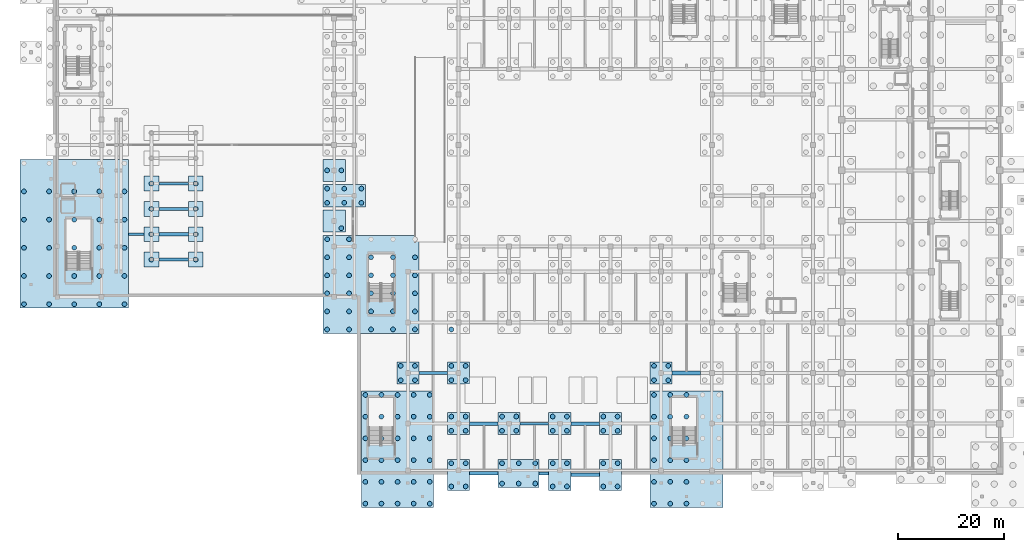
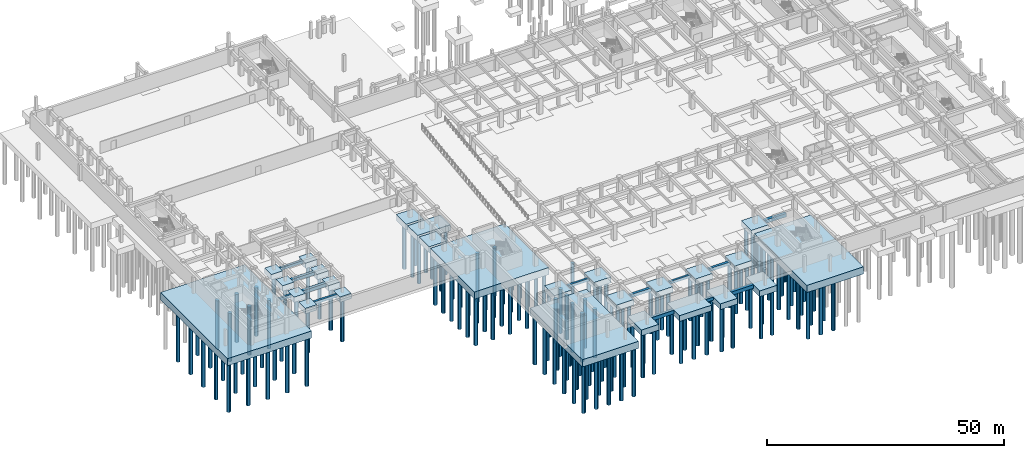
# One storey, part 1 of 39: 164 piles, 39 footings.
"""IFC4 building model written with IfcOpenShell, lengths in metres."""

import ifcopenshell
import ifcopenshell.guid

model = None  # the IFC model being written
_history = None  # IfcOwnerHistory: only IFC2X3 demands one
_inside = {}  # id of a spatial element -> (the spatial element, [elements in it])
_under = {}  # id of a project, library or spatial element -> (it, [spatial elements below it])
_declared = {}  # id of a project -> (the project, [libraries it declares])
_typed = {}  # id of a type object -> (the type object, [elements of that type])
_made_of = {}  # id of a material, layer set ... -> (it, [elements and type objects made of it])


def new_model(schema):
    """Start an empty IFC model of exactly this schema.

    Asked for "IFC4X3", IfcOpenShell would pick the latest addendum, in which some entities
    have other attributes; the version numbers below select the first issue.
    IFC2X3 requires an IfcOwnerHistory on every rooted entity: one is made here for all.
    """
    global model, _history
    if schema == "IFC4X3":
        model = ifcopenshell.file(schema_version=(4, 3, 0, 0))
    else:
        model = ifcopenshell.file(schema=schema)
    _inside.clear()
    _under.clear()
    _declared.clear()
    _typed.clear()
    _made_of.clear()
    _history = None
    if model.schema == "IFC2X3":
        org = make("IfcOrganization", Name="unknown")
        user = make(
            "IfcPersonAndOrganization",
            ThePerson=make("IfcPerson", FamilyName="unknown"),
            TheOrganization=org,
        )
        app = make(
            "IfcApplication",
            ApplicationDeveloper=org,
            Version="unknown",
            ApplicationFullName="unknown",
            ApplicationIdentifier="unknown",
        )
        _history = make(
            "IfcOwnerHistory",
            OwningUser=user,
            OwningApplication=app,
            ChangeAction="ADDED",
            CreationDate=0,
        )
    return model


def make(cls, **values):
    """One entity of the class cls with the attributes given. An attribute that is None is left unset."""
    return model.create_entity(
        cls, **{name: value for name, value in values.items() if value is not None}
    )


def rooted(cls, **values):
    """An entity with a GlobalId (a new one), such as an element, a storey or a relation."""
    return make(cls, GlobalId=ifcopenshell.guid.new(), OwnerHistory=_history, **values)


def si_unit(unit_type, name, prefix=None):
    """IfcSIUnit, for example si_unit("LENGTHUNIT", "METRE", prefix="MILLI")."""
    return make("IfcSIUnit", UnitType=unit_type, Prefix=prefix, Name=name)


def assignment(units):
    """IfcUnitAssignment: the units of a project."""
    return None if units is None else make("IfcUnitAssignment", Units=units)


def point(xyz):
    """IfcCartesianPoint."""
    return None if xyz is None else make("IfcCartesianPoint", Coordinates=xyz)


def direction(xyz):
    """IfcDirection."""
    return None if xyz is None else make("IfcDirection", DirectionRatios=xyz)


def frame(location, z_axis=None, x_axis=None):
    """IfcAxis2Placement3D, a coordinate frame: its origin and axes. An axis left out is left unset."""
    return make(
        "IfcAxis2Placement3D",
        Location=point(location),
        Axis=direction(z_axis),
        RefDirection=direction(x_axis),
    )


def frame_2d(location, x_axis=None):
    """IfcAxis2Placement2D, a coordinate frame in the plane: its origin and x axis."""
    return make(
        "IfcAxis2Placement2D", Location=point(location), RefDirection=direction(x_axis)
    )


def origin():
    """The frame at (0, 0, 0) with its axes left unset."""
    return frame((0.0, 0.0, 0.0))


def origin_2d():
    """The frame at (0, 0) in the plane with its x axis left unset."""
    return frame_2d((0.0, 0.0))


def place(relative_to, where):
    """IfcLocalPlacement: puts the frame where relative to a parent placement (None: the world)."""
    return make(
        "IfcLocalPlacement", PlacementRelTo=relative_to, RelativePlacement=where
    )


def context(
    kind, dimensions, precision=None, world=None, true_north=None, identifier=None
):
    """IfcGeometricRepresentationContext, for example the 3D "Model" context."""
    return make(
        "IfcGeometricRepresentationContext",
        ContextIdentifier=identifier,
        ContextType=kind,
        CoordinateSpaceDimension=dimensions,
        Precision=precision,
        WorldCoordinateSystem=world,
        TrueNorth=true_north,
    )


def subcontext(parent, identifier, kind, view, scale=None):
    """IfcGeometricRepresentationSubContext, for example "Body" below "Model"."""
    return make(
        "IfcGeometricRepresentationSubContext",
        ContextIdentifier=identifier,
        ContextType=kind,
        ParentContext=parent,
        TargetScale=scale,
        TargetView=view,
    )


def project(units=None, contexts=None):
    """IfcProject with its units and contexts."""
    return rooted(
        "IfcProject",
        Name="project",
        RepresentationContexts=contexts,
        UnitsInContext=assignment(units),
    )


def spatial(cls, under=None, at=None, **own):
    """A site, building, storey or space (cls), placed at a placement, below another one or the project."""
    s = rooted(cls, ObjectPlacement=at, **own)
    if under is not None:
        _under.setdefault(under.id(), (under, []))[1].append(s)
    return s


def profile(cls, at=None, kind="AREA", **sizes):
    """A parametric profile (cls). Its sizes go by their IFC names, for example OverallWidth=200.0."""
    return make(cls, ProfileType=kind, Position=at, **sizes)


def rectangle(**sizes):
    """IfcRectangleProfileDef."""
    return profile("IfcRectangleProfileDef", **sizes)


def circle(**sizes):
    """IfcCircleProfileDef."""
    return profile("IfcCircleProfileDef", **sizes)


def extrude(swept, where, along, depth):
    """IfcExtrudedAreaSolid: the profile swept, set in the frame where, extruded along a direction by depth."""
    return make(
        "IfcExtrudedAreaSolid",
        SweptArea=swept,
        Position=where,
        ExtrudedDirection=direction(along),
        Depth=depth,
    )


def shape(context_of_items, identifier, shape_type, items):
    """IfcShapeRepresentation: the items that make up one representation, for example the "Body"."""
    return make(
        "IfcShapeRepresentation",
        ContextOfItems=context_of_items,
        RepresentationIdentifier=identifier,
        RepresentationType=shape_type,
        Items=items,
    )


def material(Name=None, Category=None):
    """IfcMaterial."""
    return make("IfcMaterial", Name=Name, Category=Category)


def material_profile(
    of_material, cross_section, Name=None, Category=None, Priority=None
):
    """IfcMaterialProfile: a cross section and its material."""
    return make(
        "IfcMaterialProfile",
        Name=Name,
        Material=of_material,
        Profile=cross_section,
        Priority=Priority,
        Category=Category,
    )


def profile_set(profiles, Name=None, composite=None):
    """IfcMaterialProfileSet."""
    return make(
        "IfcMaterialProfileSet",
        Name=Name,
        MaterialProfiles=profiles,
        CompositeProfile=composite,
    )


def made_of(thing, what):
    """Note that an element or type object is made of a material, layer set ...; save() writes the relation."""
    if what is not None:
        _made_of.setdefault(what.id(), (what, []))[1].append(thing)
    return thing


def type_object(cls, material=None, **own):
    """A type object (cls), such as IfcWallType, which elements share."""
    return made_of(rooted(cls, **own), material)


def element(
    cls,
    number,
    at=None,
    inside=None,
    cuts=None,
    type_object=None,
    material=None,
    context=None,
    identifier="Body",
    shape_type=None,
    held_by="IfcProductDefinitionShape",
    body=None,
    shapes=None,
    **own,
):
    """One element of the class cls, such as IfcWall. Its Tag is "e" and its number.

    at: its placement. inside: the storey or other place that contains it. cuts: it is an
    opening in that element (IfcRelVoidsElement). A single representation is given by context,
    identifier, shape_type and body (its items); several are given by shapes. held_by: the class
    of the entity that holds the representations. save() writes the other relations.
    """
    e = rooted(cls, Tag="e%d" % number, ObjectPlacement=at, **own)
    if body is not None:
        shapes = [shape(context, identifier, shape_type, body)]
    if shapes is not None:
        e.Representation = make(held_by, Representations=shapes)
    if inside is not None:
        _inside.setdefault(inside.id(), (inside, []))[1].append(e)
    if cuts is not None:
        rooted(
            "IfcRelVoidsElement", RelatingBuildingElement=cuts, RelatedOpeningElement=e
        )
    if type_object is not None:
        _typed.setdefault(type_object.id(), (type_object, []))[1].append(e)
    return made_of(e, material)


def aggregate(whole, parts):
    """IfcRelAggregates: a whole, such as a stair, and the parts it consists of."""
    return rooted("IfcRelAggregates", RelatingObject=whole, RelatedObjects=parts)


def save(model, path):
    """Write the relations noted so far, then the file.

    IfcRelAggregates (storeys below a building ...), IfcRelContainedInSpatialStructure (elements
    in a storey), IfcRelDefinesByType, IfcRelAssociatesMaterial and IfcRelDeclares: one each for
    every whole, place, type object, material and project.
    """
    for whole, parts in _under.values():
        aggregate(whole, parts)
    for where, things in _inside.values():
        rooted(
            "IfcRelContainedInSpatialStructure",
            RelatedElements=things,
            RelatingStructure=where,
        )
    for kind, things in _typed.values():
        rooted("IfcRelDefinesByType", RelatedObjects=things, RelatingType=kind)
    for what, things in _made_of.values():
        rooted("IfcRelAssociatesMaterial", RelatedObjects=things, RelatingMaterial=what)
    for by, libraries in _declared.values():
        rooted("IfcRelDeclares", RelatingContext=by, RelatedDefinitions=libraries)
    model.write(path)


model = new_model("IFC4")

# Units and contexts
model_context = context("Model", 3, precision=1e-05, world=origin(), true_north=direction((0.0, 1.0)))
body_context = subcontext(model_context, "Body", "Model", "MODEL_VIEW")
ifc_project = project(units=[si_unit("LENGTHUNIT", "METRE"), si_unit("AREAUNIT", "SQUARE_METRE"), si_unit("VOLUMEUNIT", "CUBIC_METRE"), si_unit("PLANEANGLEUNIT", "RADIAN"), si_unit("MASSUNIT", "GRAM", prefix="KILO")], contexts=[model_context])

# Site, building, storey
site_placement = place(None, origin())
site = spatial("IfcSite", under=ifc_project, at=site_placement, CompositionType="ELEMENT")
building_placement = place(site_placement, origin())
building = spatial("IfcBuilding", under=site, at=building_placement, Name="Nakhvara Creek Congress Hotel", CompositionType="ELEMENT")
storey_placement = place(building_placement, frame((0.0, 0.0, -8.39990234375)))
storey = spatial("IfcBuildingStorey", under=building, at=storey_placement, Name="B2", CompositionType="ELEMENT", Elevation=-8.39990234375)

# Footings
ifc_material = material(Name="Concrete C40/50", Category="concrete")
footing_type_1 = type_object("IfcFootingType", Name="FT-GB-500X700", PredefinedType="FOOTING_BEAM", material=ifc_material)
footing_1_placement = place(storey_placement, frame((15.72509765625, 45.5, -0.7001953125), z_axis=(0.0, 0.0, 1.0), x_axis=(1.0, 0.0, 0.0)))
element("IfcFooting", 1, at=footing_1_placement, inside=storey, type_object=footing_type_1, Name="Ground Beam GB-004", PredefinedType="FOOTING_BEAM", context=body_context, shape_type="SweptSolid", body=[
    extrude(rectangle(XDim=2.949951171875, YDim=0.5, at=origin_2d()), origin(), (0.0, 0.0, 1.0), 0.699951171875),
])
for number, where, z_axis, x_axis, name in (
    (2, (22.800048828125, 40.699951171875, -0.7001953125), (0.0, 0.0, 1.0), (1.0, 0.0, 0.0), "Ground Beam GB-007"),
    (3, (22.800048828125, 55.10009765625, -0.7001953125), (0.0, 0.0, 1.0), (1.0, 0.0, 0.0), "Ground Beam GB-010"),
):
    element("IfcFooting", number, at=place(storey_placement, frame(where, z_axis=z_axis, x_axis=x_axis)), inside=storey, type_object=footing_type_1, Name=name, PredefinedType="FOOTING_BEAM", context=body_context, shape_type="SweptSolid", body=[
        extrude(rectangle(XDim=5.60009765625, YDim=0.5, at=origin_2d()), origin(), (0.0, 0.0, 1.0), 0.699951171875),
    ])
for number, where, z_axis, x_axis, name in (
    (4, (72.0, 19.199951171875, -0.7001953125), (0.0, 0.0, 1.0), (1.0, 0.0, 0.0), "Ground Beam GB-013"),
    (5, (91.199951171875, 9.60009765625, -0.7001953125), (0.0, 0.0, 1.0), (1.0, 0.0, 0.0), "Ground Beam GB-022"),
):
    element("IfcFooting", number, at=place(storey_placement, frame(where, z_axis=z_axis, x_axis=x_axis)), inside=storey, type_object=footing_type_1, Name=name, PredefinedType="FOOTING_BEAM", context=body_context, shape_type="SweptSolid", body=[
        extrude(rectangle(XDim=5.39990234375, YDim=0.5, at=origin_2d()), origin(), (0.0, 0.0, 1.0), 0.699951171875),
    ])
footing_type_2 = type_object("IfcFootingType", Name="FT-GB-600X800", PredefinedType="FOOTING_BEAM", material=ifc_material)
footing_2_placement = place(storey_placement, frame((22.800048828125, 50.300048828125, -0.80029296875), z_axis=(0.0, 0.0, 1.0), x_axis=(1.0, 0.0, 0.0)))
element("IfcFooting", 6, at=footing_2_placement, inside=storey, type_object=footing_type_2, Name="Ground Beam GB-009", PredefinedType="FOOTING_BEAM", context=body_context, shape_type="SweptSolid", body=[
    extrude(rectangle(XDim=5.60009765625, YDim=0.60009765625, at=origin_2d()), origin(), (0.0, 0.0, 1.0), 0.800048828125),
])
footing_3_placement = place(storey_placement, frame((81.60009765625, 9.60009765625, -0.80029296875), z_axis=(0.0, 0.0, 1.0), x_axis=(1.0, 0.0, 0.0)))
element("IfcFooting", 7, at=footing_3_placement, inside=storey, type_object=footing_type_2, Name="Ground Beam GB-015", PredefinedType="FOOTING_BEAM", context=body_context, shape_type="SweptSolid", body=[
    extrude(rectangle(XDim=5.39990234375, YDim=0.60009765625, at=origin_2d()), origin(), (0.0, 0.0, 1.0), 0.800048828125),
])
footing_4_placement = place(storey_placement, frame((93.0, 0.175048828125, -0.80029296875), z_axis=(0.0, 0.0, 1.0), x_axis=(1.0, 0.0, 0.0)))
element("IfcFooting", 8, at=footing_4_placement, inside=storey, type_object=footing_type_2, Name="Ground Beam GB-021", PredefinedType="FOOTING_BEAM", context=body_context, shape_type="SweptSolid", body=[
    extrude(rectangle(XDim=1.800048828125, YDim=0.60009765625, at=origin_2d()), origin(), (0.0, 0.0, 1.0), 0.800048828125),
])
footing_5_placement = place(storey_placement, frame((100.800048828125, 9.60009765625, -0.80029296875), z_axis=(0.0, 0.0, 1.0), x_axis=(1.0, 0.0, 0.0)))
element("IfcFooting", 9, at=footing_5_placement, inside=storey, type_object=footing_type_2, Name="Ground Beam GB-030", PredefinedType="FOOTING_BEAM", context=body_context, shape_type="SweptSolid", body=[
    extrude(rectangle(XDim=5.39990234375, YDim=0.60009765625, at=origin_2d()), origin(), (0.0, 0.0, 1.0), 0.800048828125),
])
footing_type_3 = type_object("IfcFootingType", Name="FT-GB-700X900", PredefinedType="FOOTING_BEAM", material=ifc_material)
footing_6_placement = place(storey_placement, frame((22.800048828125, 45.5, -0.900146484375), z_axis=(0.0, 0.0, 1.0), x_axis=(1.0, 0.0, 0.0)))
element("IfcFooting", 10, at=footing_6_placement, inside=storey, type_object=footing_type_3, Name="Ground Beam GB-008", PredefinedType="FOOTING_BEAM", context=body_context, shape_type="SweptSolid", body=[
    extrude(rectangle(XDim=5.60009765625, YDim=0.699951171875, at=origin_2d()), origin(), (0.0, 0.0, 1.0), 0.89990234375),
])
for number, where, z_axis, x_axis, name in (
    (11, (81.60009765625, 0.175048828125, -0.900146484375), (0.0, 0.0, 1.0), (1.0, 0.0, 0.0), "Ground Beam GB-014"),
    (12, (100.800048828125, -0.10009765625, -0.900146484375), (0.0, 0.0, 1.0), (1.0, 0.0, 0.0), "Ground Beam GB-029"),
    (13, (120.0, 19.199951171875, -0.900146484375), (0.0, 0.0, 1.0), (1.0, 0.0, 0.0), "Ground Beam GB-041"),
):
    element("IfcFooting", number, at=place(storey_placement, frame(where, z_axis=z_axis, x_axis=x_axis)), inside=storey, type_object=footing_type_3, Name=name, PredefinedType="FOOTING_BEAM", context=body_context, shape_type="SweptSolid", body=[
        extrude(rectangle(XDim=5.39990234375, YDim=0.699951171875, at=origin_2d()), origin(), (0.0, 0.0, 1.0), 0.89990234375),
    ])
footing_type_4 = type_object("IfcFootingType", Name="FT-MCAP-1370X2210X185", PredefinedType="PILE_CAP", material=ifc_material)
footing_7_placement = place(storey_placement, frame((65.25, 4.75, -1.85009765625), z_axis=(0.0, 0.0, 1.0), x_axis=(1.0, 0.0, 0.0)))
element("IfcFooting", 14, at=footing_7_placement, inside=storey, type_object=footing_type_4, Name="Pile Cap 010", PredefinedType="PILE_CAP", context=body_context, shape_type="SweptSolid", body=[
    extrude(rectangle(XDim=13.699951171875, YDim=22.10009765625, at=origin_2d()), origin(), (0.0, 0.0, 1.0), 1.85009765625),
])
footing_type_5 = type_object("IfcFootingType", Name="FT-MCAP-1380X2210X185", PredefinedType="PILE_CAP", material=ifc_material)
footing_8_placement = place(storey_placement, frame((120.0, 4.75, -1.85009765625), z_axis=(0.0, 0.0, 1.0), x_axis=(1.0, 0.0, 0.0)))
element("IfcFooting", 15, at=footing_8_placement, inside=storey, type_object=footing_type_5, Name="Pile Cap 011", PredefinedType="PILE_CAP", context=body_context, shape_type="SweptSolid", body=[
    extrude(rectangle(XDim=13.800048828125, YDim=22.10009765625, at=origin_2d()), origin(), (0.0, 0.0, 1.0), 1.85009765625),
])
footing_type_6 = type_object("IfcFootingType", Name="FT-MCAP-1815X1860X185", PredefinedType="PILE_CAP", material=ifc_material)
footing_9_placement = place(storey_placement, frame((60.22509765625, 36.0, -1.85009765625), z_axis=(0.0, 0.0, 1.0), x_axis=(1.0, 0.0, 0.0)))
element("IfcFooting", 16, at=footing_9_placement, inside=storey, type_object=footing_type_6, Name="Pile Cap 012", PredefinedType="PILE_CAP", context=body_context, shape_type="SweptSolid", body=[
    extrude(rectangle(XDim=18.14990234375, YDim=18.60009765625, at=origin_2d()), origin(), (0.0, 0.0, 1.0), 1.85009765625),
])
footing_type_7 = type_object("IfcFootingType", Name="FT-MCAP-2055X2820X185", PredefinedType="PILE_CAP", material=ifc_material)
footing_10_placement = place(storey_placement, frame((3.97509765625, 45.60009765625, -1.85009765625), z_axis=(0.0, 0.0, 1.0), x_axis=(1.0, 0.0, 0.0)))
element("IfcFooting", 17, at=footing_10_placement, inside=storey, type_object=footing_type_7, Name="Pile Cap 004", PredefinedType="PILE_CAP", context=body_context, shape_type="SweptSolid", body=[
    extrude(rectangle(XDim=20.550048828125, YDim=28.199951171875, at=origin_2d()), origin(), (0.0, 0.0, 1.0), 1.85009765625),
])
footing_type_8 = type_object("IfcFootingType", Name="FT-MCAP-280X280X140", PredefinedType="PILE_CAP", material=ifc_material)
for number, where, z_axis, x_axis, name in (
    (18, (18.60009765625, 40.699951171875, -1.400146484375), (0.0, 0.0, 1.0), (1.0, 0.0, 0.0), "Pile Cap 025"),
    (19, (27.0, 40.699951171875, -1.400146484375), (0.0, 0.0, 1.0), (1.0, 0.0, 0.0), "Pile Cap 026"),
    (20, (18.60009765625, 45.5, -1.400146484375), (0.0, 0.0, 1.0), (1.0, 0.0, 0.0), "Pile Cap 027"),
    (21, (27.0, 45.5, -1.400146484375), (0.0, 0.0, 1.0), (1.0, 0.0, 0.0), "Pile Cap 028"),
    (22, (18.60009765625, 50.300048828125, -1.400146484375), (0.0, 0.0, 1.0), (1.0, 0.0, 0.0), "Pile Cap 029"),
    (23, (27.0, 50.300048828125, -1.400146484375), (0.0, 0.0, 1.0), (1.0, 0.0, 0.0), "Pile Cap 030"),
    (24, (18.60009765625, 55.10009765625, -1.400146484375), (0.0, 0.0, 1.0), (1.0, 0.0, 0.0), "Pile Cap 031"),
    (25, (27.0, 55.10009765625, -1.400146484375), (0.0, 0.0, 1.0), (1.0, 0.0, 0.0), "Pile Cap 032"),
):
    element("IfcFooting", number, at=place(storey_placement, frame(where, z_axis=z_axis, x_axis=x_axis)), inside=storey, type_object=footing_type_8, Name=name, PredefinedType="PILE_CAP", context=body_context, shape_type="SweptSolid", body=[
        extrude(rectangle(XDim=2.800048828125, YDim=2.800048828125, at=origin_2d()), origin(), (0.0, 0.0, 1.0), 1.39990234375),
    ])
footing_type_9 = type_object("IfcFootingType", Name="FT-MCAP-420X420X150", PredefinedType="PILE_CAP", material=ifc_material)
for number, where, z_axis, x_axis, name in (
    (26, (67.199951171875, 19.199951171875, -1.5), (0.0, 0.0, 1.0), (1.0, 0.0, 0.0), "Pile Cap 038"),
    (27, (76.800048828125, 9.60009765625, -1.5), (0.0, 0.0, 1.0), (1.0, 0.0, 0.0), "Pile Cap 040"),
    (28, (76.800048828125, 19.199951171875, -1.5), (0.0, 0.0, 1.0), (1.0, 0.0, 0.0), "Pile Cap 041"),
    (29, (86.39990234375, 9.60009765625, -1.5), (0.0, 0.0, 1.0), (1.0, 0.0, 0.0), "Pile Cap 051"),
    (30, (96.0, 9.60009765625, -1.5), (0.0, 0.0, 1.0), (1.0, 0.0, 0.0), "Pile Cap 059"),
    (31, (105.60009765625, 9.60009765625, -1.5), (0.0, 0.0, 1.0), (1.0, 0.0, 0.0), "Pile Cap 067"),
    (32, (115.199951171875, 19.199951171875, -1.5), (0.0, 0.0, 1.0), (1.0, 0.0, 0.0), "Pile Cap 074"),
):
    element("IfcFooting", number, at=place(storey_placement, frame(where, z_axis=z_axis, x_axis=x_axis)), inside=storey, type_object=footing_type_9, Name=name, PredefinedType="PILE_CAP", context=body_context, shape_type="SweptSolid", body=[
        extrude(rectangle(XDim=4.199951171875, YDim=4.199951171875, at=origin_2d()), origin(), (0.0, 0.0, 1.0), 1.5),
    ])
footing_type_10 = type_object("IfcFootingType", Name="FT-MCAP-420X420X155", PredefinedType="PILE_CAP", material=ifc_material)
for number, where, z_axis, x_axis, name in (
    (33, (53.25, 48.0, -1.55029296875), (0.0, 0.0, 1.0), (1.0, 0.0, 0.0), "Pile Cap 019"),
    (34, (53.25, 57.60009765625, -1.55029296875), (0.0, 0.0, 1.0), (1.0, 0.0, 0.0), "Pile Cap 020"),
):
    element("IfcFooting", number, at=place(storey_placement, frame(where, z_axis=z_axis, x_axis=x_axis)), inside=storey, type_object=footing_type_10, Name=name, PredefinedType="PILE_CAP", context=body_context, shape_type="SweptSolid", body=[
        extrude(rectangle(XDim=4.199951171875, YDim=4.199951171875, at=origin_2d()), origin(), (0.0, 0.0, 1.0), 1.550048828125),
    ])
footing_type_11 = type_object("IfcFootingType", Name="FT-MCAP-420X590X150", PredefinedType="PILE_CAP", material=ifc_material)
for number, where, z_axis, x_axis, name in (
    (35, (76.800048828125, -0.10009765625, -1.5), (0.0, 0.0, 1.0), (1.0, 0.0, 0.0), "Pile Cap 039"),
    (36, (96.0, -0.10009765625, -1.5), (0.0, 0.0, 1.0), (1.0, 0.0, 0.0), "Pile Cap 058"),
    (37, (105.60009765625, -0.10009765625, -1.5), (0.0, 0.0, 1.0), (1.0, 0.0, 0.0), "Pile Cap 066"),
):
    element("IfcFooting", number, at=place(storey_placement, frame(where, z_axis=z_axis, x_axis=x_axis)), inside=storey, type_object=footing_type_11, Name=name, PredefinedType="PILE_CAP", context=body_context, shape_type="SweptSolid", body=[
        extrude(rectangle(XDim=4.199951171875, YDim=5.89990234375, at=origin_2d()), origin(), (0.0, 0.0, 1.0), 1.5),
    ])
footing_type_12 = type_object("IfcFootingType", Name="FT-MCAP-780X535X150", PredefinedType="PILE_CAP", material=ifc_material)
footing_11_placement = place(storey_placement, frame((88.199951171875, 0.175048828125, -1.5), z_axis=(0.0, 0.0, 1.0), x_axis=(1.0, 0.0, 0.0)))
element("IfcFooting", 38, at=footing_11_placement, inside=storey, type_object=footing_type_12, Name="Pile Cap 050", PredefinedType="PILE_CAP", context=body_context, shape_type="SweptSolid", body=[
    extrude(rectangle(XDim=7.800048828125, YDim=5.35009765625, at=origin_2d()), origin(), (0.0, 0.0, 1.0), 1.5),
])
footing_type_13 = type_object("IfcFootingType", Name="FT-MCAP-800X420X155", PredefinedType="PILE_CAP", material=ifc_material)
footing_12_placement = place(storey_placement, frame((55.14990234375, 52.800048828125, -1.55029296875), z_axis=(0.0, 0.0, 1.0), x_axis=(1.0, 0.0, 0.0)))
element("IfcFooting", 39, at=footing_12_placement, inside=storey, type_object=footing_type_13, Name="Pile Cap 013", PredefinedType="PILE_CAP", context=body_context, shape_type="SweptSolid", body=[
    extrude(rectangle(XDim=8.0, YDim=4.199951171875, at=origin_2d()), origin(), (0.0, 0.0, 1.0), 1.550048828125),
])

# Piles
ifc_material_profile = material_profile(ifc_material, circle(Radius=0.449951171875, at=origin_2d()), Name="BORED PILE D900", Category="LoadBearing")
ifc_profile_set = profile_set([ifc_material_profile], Name="Concrete C40/50")
pile_type = type_object("IfcPileType", Name="PILE-BORED-900", PredefinedType="BORED", material=ifc_profile_set)
for number, where, z_axis, x_axis, name in (
    (40, (-5.550048828125, 32.25, -1.75), (0.0, 0.0, -1.0), (1.0, 0.0, 0.0), "Bored Pile P-0085"),
    (41, (-5.550048828125, 37.590087890625, -1.75), (0.0, 0.0, -1.0), (1.0, 0.0, 0.0), "Bored Pile P-0086"),
    (42, (-5.550048828125, 42.929931640625, -1.75), (0.0, 0.0, -1.0), (1.0, 0.0, 0.0), "Bored Pile P-0087"),
    (43, (-5.550048828125, 48.27001953125, -1.75), (0.0, 0.0, -1.0), (1.0, 0.0, 0.0), "Bored Pile P-0088"),
    (44, (-5.550048828125, 53.610107421875, -1.75), (0.0, 0.0, -1.0), (1.0, 0.0, 0.0), "Bored Pile P-0089"),
    (45, (-0.787109375, 32.25, -1.75), (0.0, 0.0, -1.0), (1.0, 0.0, 0.0), "Bored Pile P-0091"),
    (46, (-0.787109375, 37.590087890625, -1.75), (0.0, 0.0, -1.0), (1.0, 0.0, 0.0), "Bored Pile P-0092"),
    (47, (-0.787109375, 42.929931640625, -1.75), (0.0, 0.0, -1.0), (1.0, 0.0, 0.0), "Bored Pile P-0093"),
    (48, (-0.787109375, 48.27001953125, -1.75), (0.0, 0.0, -1.0), (1.0, 0.0, 0.0), "Bored Pile P-0094"),
    (49, (-0.787109375, 53.610107421875, -1.75), (0.0, 0.0, -1.0), (1.0, 0.0, 0.0), "Bored Pile P-0095"),
    (50, (3.97509765625, 32.25, -1.75), (0.0, 0.0, -1.0), (1.0, 0.0, 0.0), "Bored Pile P-0097"),
    (51, (3.97509765625, 37.590087890625, -1.75), (0.0, 0.0, -1.0), (1.0, 0.0, 0.0), "Bored Pile P-0098"),
    (52, (3.97509765625, 42.929931640625, -1.75), (0.0, 0.0, -1.0), (1.0, 0.0, 0.0), "Bored Pile P-0099"),
    (53, (3.97509765625, 48.27001953125, -1.75), (0.0, 0.0, -1.0), (1.0, 0.0, 0.0), "Bored Pile P-0100"),
    (54, (3.97509765625, 53.610107421875, -1.75), (0.0, 0.0, -1.0), (1.0, 0.0, 0.0), "Bored Pile P-0101"),
    (55, (8.738037109375, 32.25, -1.75), (0.0, 0.0, -1.0), (1.0, 0.0, 0.0), "Bored Pile P-0103"),
    (56, (8.738037109375, 37.590087890625, -1.75), (0.0, 0.0, -1.0), (1.0, 0.0, 0.0), "Bored Pile P-0104"),
    (57, (8.738037109375, 42.929931640625, -1.75), (0.0, 0.0, -1.0), (1.0, 0.0, 0.0), "Bored Pile P-0105"),
    (58, (8.738037109375, 48.27001953125, -1.75), (0.0, 0.0, -1.0), (1.0, 0.0, 0.0), "Bored Pile P-0106"),
    (59, (8.738037109375, 53.610107421875, -1.75), (0.0, 0.0, -1.0), (1.0, 0.0, 0.0), "Bored Pile P-0107"),
    (60, (13.5, 32.25, -1.75), (0.0, 0.0, -1.0), (1.0, 0.0, 0.0), "Bored Pile P-0109"),
    (61, (13.5, 37.590087890625, -1.75), (0.0, 0.0, -1.0), (1.0, 0.0, 0.0), "Bored Pile P-0110"),
    (62, (13.5, 42.929931640625, -1.75), (0.0, 0.0, -1.0), (1.0, 0.0, 0.0), "Bored Pile P-0111"),
    (63, (13.5, 48.27001953125, -1.75), (0.0, 0.0, -1.0), (1.0, 0.0, 0.0), "Bored Pile P-0112"),
    (64, (13.5, 53.610107421875, -1.75), (0.0, 0.0, -1.0), (1.0, 0.0, 0.0), "Bored Pile P-0113"),
    (65, (59.14990234375, -5.550048828125, -1.75), (0.0, 0.0, -1.0), (1.0, 0.0, 0.0), "Bored Pile P-0265"),
    (66, (59.14990234375, -1.429931640625, -1.75), (0.0, 0.0, -1.0), (1.0, 0.0, 0.0), "Bored Pile P-0266"),
    (67, (59.14990234375, 2.68994140625, -1.75), (0.0, 0.0, -1.0), (1.0, 0.0, 0.0), "Bored Pile P-0267"),
    (68, (59.14990234375, 6.81005859375, -1.75), (0.0, 0.0, -1.0), (1.0, 0.0, 0.0), "Bored Pile P-0268"),
    (69, (59.14990234375, 10.929931640625, -1.75), (0.0, 0.0, -1.0), (1.0, 0.0, 0.0), "Bored Pile P-0269"),
    (70, (59.14990234375, 15.050048828125, -1.75), (0.0, 0.0, -1.0), (1.0, 0.0, 0.0), "Bored Pile P-0270"),
    (71, (62.199951171875, -5.550048828125, -1.75), (0.0, 0.0, -1.0), (1.0, 0.0, 0.0), "Bored Pile P-0271"),
    (72, (62.199951171875, -1.429931640625, -1.75), (0.0, 0.0, -1.0), (1.0, 0.0, 0.0), "Bored Pile P-0272"),
    (73, (62.199951171875, 2.68994140625, -1.75), (0.0, 0.0, -1.0), (1.0, 0.0, 0.0), "Bored Pile P-0273"),
    (74, (62.199951171875, 6.81005859375, -1.75), (0.0, 0.0, -1.0), (1.0, 0.0, 0.0), "Bored Pile P-0274"),
    (75, (62.199951171875, 10.929931640625, -1.75), (0.0, 0.0, -1.0), (1.0, 0.0, 0.0), "Bored Pile P-0275"),
    (76, (62.199951171875, 15.050048828125, -1.75), (0.0, 0.0, -1.0), (1.0, 0.0, 0.0), "Bored Pile P-0276"),
    (77, (65.25, -5.550048828125, -1.75), (0.0, 0.0, -1.0), (1.0, 0.0, 0.0), "Bored Pile P-0277"),
    (78, (65.25, -1.429931640625, -1.75), (0.0, 0.0, -1.0), (1.0, 0.0, 0.0), "Bored Pile P-0278"),
    (79, (65.25, 2.68994140625, -1.75), (0.0, 0.0, -1.0), (1.0, 0.0, 0.0), "Bored Pile P-0279"),
    (80, (65.25, 6.81005859375, -1.75), (0.0, 0.0, -1.0), (1.0, 0.0, 0.0), "Bored Pile P-0280"),
    (81, (65.25, 10.929931640625, -1.75), (0.0, 0.0, -1.0), (1.0, 0.0, 0.0), "Bored Pile P-0281"),
    (82, (65.25, 15.050048828125, -1.75), (0.0, 0.0, -1.0), (1.0, 0.0, 0.0), "Bored Pile P-0282"),
    (83, (68.300048828125, -5.550048828125, -1.75), (0.0, 0.0, -1.0), (1.0, 0.0, 0.0), "Bored Pile P-0283"),
    (84, (68.300048828125, -1.429931640625, -1.75), (0.0, 0.0, -1.0), (1.0, 0.0, 0.0), "Bored Pile P-0284"),
    (85, (68.300048828125, 2.68994140625, -1.75), (0.0, 0.0, -1.0), (1.0, 0.0, 0.0), "Bored Pile P-0285"),
    (86, (68.300048828125, 6.81005859375, -1.75), (0.0, 0.0, -1.0), (1.0, 0.0, 0.0), "Bored Pile P-0286"),
    (87, (68.300048828125, 10.929931640625, -1.75), (0.0, 0.0, -1.0), (1.0, 0.0, 0.0), "Bored Pile P-0287"),
    (88, (68.300048828125, 15.050048828125, -1.75), (0.0, 0.0, -1.0), (1.0, 0.0, 0.0), "Bored Pile P-0288"),
    (89, (71.35009765625, -5.550048828125, -1.75), (0.0, 0.0, -1.0), (1.0, 0.0, 0.0), "Bored Pile P-0289"),
    (90, (71.35009765625, -1.429931640625, -1.75), (0.0, 0.0, -1.0), (1.0, 0.0, 0.0), "Bored Pile P-0290"),
    (91, (71.35009765625, 2.68994140625, -1.75), (0.0, 0.0, -1.0), (1.0, 0.0, 0.0), "Bored Pile P-0291"),
    (92, (71.35009765625, 6.81005859375, -1.75), (0.0, 0.0, -1.0), (1.0, 0.0, 0.0), "Bored Pile P-0292"),
    (93, (71.35009765625, 10.929931640625, -1.75), (0.0, 0.0, -1.0), (1.0, 0.0, 0.0), "Bored Pile P-0293"),
    (94, (71.35009765625, 15.050048828125, -1.75), (0.0, 0.0, -1.0), (1.0, 0.0, 0.0), "Bored Pile P-0294"),
    (95, (113.85009765625, -5.550048828125, -1.75), (0.0, 0.0, -1.0), (1.0, 0.0, 0.0), "Bored Pile P-0295"),
    (96, (113.85009765625, -1.429931640625, -1.75), (0.0, 0.0, -1.0), (1.0, 0.0, 0.0), "Bored Pile P-0296"),
    (97, (113.85009765625, 2.68994140625, -1.75), (0.0, 0.0, -1.0), (1.0, 0.0, 0.0), "Bored Pile P-0297"),
    (98, (113.85009765625, 6.81005859375, -1.75), (0.0, 0.0, -1.0), (1.0, 0.0, 0.0), "Bored Pile P-0298"),
    (99, (113.85009765625, 10.929931640625, -1.75), (0.0, 0.0, -1.0), (1.0, 0.0, 0.0), "Bored Pile P-0299"),
    (100, (113.85009765625, 15.050048828125, -1.75), (0.0, 0.0, -1.0), (1.0, 0.0, 0.0), "Bored Pile P-0300"),
    (101, (116.925048828125, -5.550048828125, -1.75), (0.0, 0.0, -1.0), (1.0, 0.0, 0.0), "Bored Pile P-0301"),
    (102, (116.925048828125, -1.429931640625, -1.75), (0.0, 0.0, -1.0), (1.0, 0.0, 0.0), "Bored Pile P-0302"),
    (103, (116.925048828125, 2.68994140625, -1.75), (0.0, 0.0, -1.0), (1.0, 0.0, 0.0), "Bored Pile P-0303"),
    (104, (116.925048828125, 6.81005859375, -1.75), (0.0, 0.0, -1.0), (1.0, 0.0, 0.0), "Bored Pile P-0304"),
    (105, (116.925048828125, 10.929931640625, -1.75), (0.0, 0.0, -1.0), (1.0, 0.0, 0.0), "Bored Pile P-0305"),
    (106, (116.925048828125, 15.050048828125, -1.75), (0.0, 0.0, -1.0), (1.0, 0.0, 0.0), "Bored Pile P-0306"),
    (107, (120.0, -5.550048828125, -1.75), (0.0, 0.0, -1.0), (1.0, 0.0, 0.0), "Bored Pile P-0307"),
    (108, (120.0, -1.429931640625, -1.75), (0.0, 0.0, -1.0), (1.0, 0.0, 0.0), "Bored Pile P-0308"),
    (109, (120.0, 2.68994140625, -1.75), (0.0, 0.0, -1.0), (1.0, 0.0, 0.0), "Bored Pile P-0309"),
    (110, (120.0, 6.81005859375, -1.75), (0.0, 0.0, -1.0), (1.0, 0.0, 0.0), "Bored Pile P-0310"),
    (111, (120.0, 10.929931640625, -1.75), (0.0, 0.0, -1.0), (1.0, 0.0, 0.0), "Bored Pile P-0311"),
    (112, (120.0, 15.050048828125, -1.75), (0.0, 0.0, -1.0), (1.0, 0.0, 0.0), "Bored Pile P-0312"),
    (113, (51.89990234375, 27.449951171875, -1.75), (0.0, 0.0, -1.0), (1.0, 0.0, 0.0), "Bored Pile P-0325"),
    (114, (51.89990234375, 30.8701171875, -1.75), (0.0, 0.0, -1.0), (1.0, 0.0, 0.0), "Bored Pile P-0326"),
    (115, (51.89990234375, 34.2900390625, -1.75), (0.0, 0.0, -1.0), (1.0, 0.0, 0.0), "Bored Pile P-0327"),
    (116, (51.89990234375, 37.7099609375, -1.75), (0.0, 0.0, -1.0), (1.0, 0.0, 0.0), "Bored Pile P-0328"),
    (117, (51.89990234375, 41.1298828125, -1.75), (0.0, 0.0, -1.0), (1.0, 0.0, 0.0), "Bored Pile P-0329"),
    (118, (51.89990234375, 44.550048828125, -1.75), (0.0, 0.0, -1.0), (1.0, 0.0, 0.0), "Bored Pile P-0330"),
    (119, (56.06201171875, 27.449951171875, -1.75), (0.0, 0.0, -1.0), (1.0, 0.0, 0.0), "Bored Pile P-0331"),
    (120, (56.06201171875, 30.8701171875, -1.75), (0.0, 0.0, -1.0), (1.0, 0.0, 0.0), "Bored Pile P-0332"),
    (121, (56.06201171875, 34.2900390625, -1.75), (0.0, 0.0, -1.0), (1.0, 0.0, 0.0), "Bored Pile P-0333"),
    (122, (56.06201171875, 37.7099609375, -1.75), (0.0, 0.0, -1.0), (1.0, 0.0, 0.0), "Bored Pile P-0334"),
    (123, (56.06201171875, 41.1298828125, -1.75), (0.0, 0.0, -1.0), (1.0, 0.0, 0.0), "Bored Pile P-0335"),
    (124, (56.06201171875, 44.550048828125, -1.75), (0.0, 0.0, -1.0), (1.0, 0.0, 0.0), "Bored Pile P-0336"),
    (125, (60.22509765625, 27.449951171875, -1.75), (0.0, 0.0, -1.0), (1.0, 0.0, 0.0), "Bored Pile P-0337"),
    (126, (60.22509765625, 30.8701171875, -1.75), (0.0, 0.0, -1.0), (1.0, 0.0, 0.0), "Bored Pile P-0338"),
    (127, (60.22509765625, 34.2900390625, -1.75), (0.0, 0.0, -1.0), (1.0, 0.0, 0.0), "Bored Pile P-0339"),
    (128, (60.22509765625, 37.7099609375, -1.75), (0.0, 0.0, -1.0), (1.0, 0.0, 0.0), "Bored Pile P-0340"),
    (129, (60.22509765625, 41.1298828125, -1.75), (0.0, 0.0, -1.0), (1.0, 0.0, 0.0), "Bored Pile P-0341"),
    (130, (64.387939453125, 27.449951171875, -1.75), (0.0, 0.0, -1.0), (1.0, 0.0, 0.0), "Bored Pile P-0343"),
    (131, (64.387939453125, 30.8701171875, -1.75), (0.0, 0.0, -1.0), (1.0, 0.0, 0.0), "Bored Pile P-0344"),
    (132, (64.387939453125, 34.2900390625, -1.75), (0.0, 0.0, -1.0), (1.0, 0.0, 0.0), "Bored Pile P-0345"),
    (133, (64.387939453125, 37.7099609375, -1.75), (0.0, 0.0, -1.0), (1.0, 0.0, 0.0), "Bored Pile P-0346"),
    (134, (64.387939453125, 41.1298828125, -1.75), (0.0, 0.0, -1.0), (1.0, 0.0, 0.0), "Bored Pile P-0347"),
    (135, (68.550048828125, 27.449951171875, -1.75), (0.0, 0.0, -1.0), (1.0, 0.0, 0.0), "Bored Pile P-0349"),
    (136, (68.550048828125, 30.8701171875, -1.75), (0.0, 0.0, -1.0), (1.0, 0.0, 0.0), "Bored Pile P-0350"),
    (137, (68.550048828125, 34.2900390625, -1.75), (0.0, 0.0, -1.0), (1.0, 0.0, 0.0), "Bored Pile P-0351"),
    (138, (68.550048828125, 37.7099609375, -1.75), (0.0, 0.0, -1.0), (1.0, 0.0, 0.0), "Bored Pile P-0352"),
    (139, (68.550048828125, 41.1298828125, -1.75), (0.0, 0.0, -1.0), (1.0, 0.0, 0.0), "Bored Pile P-0353"),
):
    element("IfcPile", number, at=place(storey_placement, frame(where, z_axis=z_axis, x_axis=x_axis)), inside=storey, type_object=pile_type, Name=name, PredefinedType="BORED", context=body_context, shape_type="SweptSolid", body=[
        extrude(circle(Radius=0.449951171875, at=origin_2d()), origin(), (0.0, 0.0, 1.0), 12.5),
    ])
for number, where, z_axis, x_axis, name in (
    (140, (51.89990234375, 51.449951171875, -1.4501953125), (0.0, 0.0, -1.0), (1.0, 0.0, 0.0), "Bored Pile P-0355"),
    (141, (51.89990234375, 54.14990234375, -1.4501953125), (0.0, 0.0, -1.0), (1.0, 0.0, 0.0), "Bored Pile P-0356"),
    (142, (55.14990234375, 51.449951171875, -1.4501953125), (0.0, 0.0, -1.0), (1.0, 0.0, 0.0), "Bored Pile P-0357"),
    (143, (55.14990234375, 54.14990234375, -1.4501953125), (0.0, 0.0, -1.0), (1.0, 0.0, 0.0), "Bored Pile P-0358"),
    (144, (58.39990234375, 51.449951171875, -1.4501953125), (0.0, 0.0, -1.0), (1.0, 0.0, 0.0), "Bored Pile P-0359"),
    (145, (58.39990234375, 54.14990234375, -1.4501953125), (0.0, 0.0, -1.0), (1.0, 0.0, 0.0), "Bored Pile P-0360"),
):
    element("IfcPile", number, at=place(storey_placement, frame(where, z_axis=z_axis, x_axis=x_axis)), inside=storey, type_object=pile_type, Name=name, PredefinedType="BORED", context=body_context, shape_type="SweptSolid", body=[
        extrude(circle(Radius=0.449951171875, at=origin_2d()), origin(), (0.0, 0.0, 1.0), 11.39990234375),
    ])
for number, where, z_axis, x_axis, name in (
    (146, (54.60009765625, 46.64990234375, -1.4501953125), (0.0, 0.0, -1.0), (1.0, 0.0, 0.0), "Bored Pile P-0384"),
    (147, (51.89990234375, 57.60009765625, -1.4501953125), (0.0, 0.0, -1.0), (1.0, 0.0, 0.0), "Bored Pile P-0385"),
    (148, (54.60009765625, 57.60009765625, -1.4501953125), (0.0, 0.0, -1.0), (1.0, 0.0, 0.0), "Bored Pile P-0386"),
):
    element("IfcPile", number, at=place(storey_placement, frame(where, z_axis=z_axis, x_axis=x_axis)), inside=storey, type_object=pile_type, Name=name, PredefinedType="BORED", context=body_context, shape_type="SweptSolid", body=[
        extrude(circle(Radius=0.449951171875, at=origin_2d()), origin(), (0.0, 0.0, 1.0), 11.449951171875),
    ])
for number, where, z_axis, x_axis, name in (
    (149, (18.60009765625, 40.699951171875, -1.300048828125), (0.0, 0.0, -1.0), (1.0, 0.0, 0.0), "Bored Pile P-0397"),
    (150, (27.0, 40.699951171875, -1.300048828125), (0.0, 0.0, -1.0), (1.0, 0.0, 0.0), "Bored Pile P-0398"),
    (151, (18.60009765625, 45.5, -1.300048828125), (0.0, 0.0, -1.0), (1.0, 0.0, 0.0), "Bored Pile P-0399"),
    (152, (27.0, 45.5, -1.300048828125), (0.0, 0.0, -1.0), (1.0, 0.0, 0.0), "Bored Pile P-0400"),
    (153, (18.60009765625, 50.300048828125, -1.300048828125), (0.0, 0.0, -1.0), (1.0, 0.0, 0.0), "Bored Pile P-0401"),
    (154, (27.0, 50.300048828125, -1.300048828125), (0.0, 0.0, -1.0), (1.0, 0.0, 0.0), "Bored Pile P-0402"),
    (155, (18.60009765625, 55.10009765625, -1.300048828125), (0.0, 0.0, -1.0), (1.0, 0.0, 0.0), "Bored Pile P-0403"),
    (156, (27.0, 55.10009765625, -1.300048828125), (0.0, 0.0, -1.0), (1.0, 0.0, 0.0), "Bored Pile P-0404"),
):
    element("IfcPile", number, at=place(storey_placement, frame(where, z_axis=z_axis, x_axis=x_axis)), inside=storey, type_object=pile_type, Name=name, PredefinedType="BORED", context=body_context, shape_type="SweptSolid", body=[
        extrude(circle(Radius=0.449951171875, at=origin_2d()), origin(), (0.0, 0.0, 1.0), 11.300048828125),
    ])
for number, where, z_axis, x_axis, name in (
    (157, (65.85009765625, 17.85009765625, -1.400146484375), (0.0, 0.0, -1.0), (1.0, 0.0, 0.0), "Bored Pile P-0436"),
    (158, (65.85009765625, 20.550048828125, -1.400146484375), (0.0, 0.0, -1.0), (1.0, 0.0, 0.0), "Bored Pile P-0437"),
    (159, (68.550048828125, 17.85009765625, -1.400146484375), (0.0, 0.0, -1.0), (1.0, 0.0, 0.0), "Bored Pile P-0438"),
    (160, (68.550048828125, 20.550048828125, -1.400146484375), (0.0, 0.0, -1.0), (1.0, 0.0, 0.0), "Bored Pile P-0439"),
    (161, (75.449951171875, -2.300048828125, -1.400146484375), (0.0, 0.0, -1.0), (1.0, 0.0, 0.0), "Bored Pile P-0440"),
    (162, (75.449951171875, 2.10009765625, -1.400146484375), (0.0, 0.0, -1.0), (1.0, 0.0, 0.0), "Bored Pile P-0441"),
    (163, (78.14990234375, -2.300048828125, -1.400146484375), (0.0, 0.0, -1.0), (1.0, 0.0, 0.0), "Bored Pile P-0442"),
    (164, (78.14990234375, 2.10009765625, -1.400146484375), (0.0, 0.0, -1.0), (1.0, 0.0, 0.0), "Bored Pile P-0443"),
    (165, (75.449951171875, 8.25, -1.400146484375), (0.0, 0.0, -1.0), (1.0, 0.0, 0.0), "Bored Pile P-0444"),
    (166, (75.449951171875, 10.949951171875, -1.400146484375), (0.0, 0.0, -1.0), (1.0, 0.0, 0.0), "Bored Pile P-0445"),
    (167, (78.14990234375, 8.25, -1.400146484375), (0.0, 0.0, -1.0), (1.0, 0.0, 0.0), "Bored Pile P-0446"),
    (168, (78.14990234375, 10.949951171875, -1.400146484375), (0.0, 0.0, -1.0), (1.0, 0.0, 0.0), "Bored Pile P-0447"),
    (169, (75.449951171875, 17.85009765625, -1.400146484375), (0.0, 0.0, -1.0), (1.0, 0.0, 0.0), "Bored Pile P-0448"),
    (170, (75.449951171875, 20.550048828125, -1.400146484375), (0.0, 0.0, -1.0), (1.0, 0.0, 0.0), "Bored Pile P-0449"),
    (171, (78.14990234375, 17.85009765625, -1.400146484375), (0.0, 0.0, -1.0), (1.0, 0.0, 0.0), "Bored Pile P-0450"),
    (172, (78.14990234375, 20.550048828125, -1.400146484375), (0.0, 0.0, -1.0), (1.0, 0.0, 0.0), "Bored Pile P-0451"),
    (173, (75.449951171875, 27.449951171875, -1.400146484375), (0.0, 0.0, -1.0), (1.0, 0.0, 0.0), "Bored Pile P-0452"),
    (174, (85.050048828125, -1.75, -1.400146484375), (0.0, 0.0, -1.0), (1.0, 0.0, 0.0), "Bored Pile P-0479"),
    (175, (85.050048828125, 2.10009765625, -1.400146484375), (0.0, 0.0, -1.0), (1.0, 0.0, 0.0), "Bored Pile P-0480"),
    (176, (88.199951171875, -1.75, -1.400146484375), (0.0, 0.0, -1.0), (1.0, 0.0, 0.0), "Bored Pile P-0481"),
    (177, (88.199951171875, 2.10009765625, -1.400146484375), (0.0, 0.0, -1.0), (1.0, 0.0, 0.0), "Bored Pile P-0482"),
    (178, (91.35009765625, -1.75, -1.400146484375), (0.0, 0.0, -1.0), (1.0, 0.0, 0.0), "Bored Pile P-0483"),
    (179, (91.35009765625, 2.10009765625, -1.400146484375), (0.0, 0.0, -1.0), (1.0, 0.0, 0.0), "Bored Pile P-0484"),
    (180, (85.050048828125, 8.25, -1.400146484375), (0.0, 0.0, -1.0), (1.0, 0.0, 0.0), "Bored Pile P-0485"),
    (181, (85.050048828125, 10.949951171875, -1.400146484375), (0.0, 0.0, -1.0), (1.0, 0.0, 0.0), "Bored Pile P-0486"),
    (182, (87.75, 8.25, -1.400146484375), (0.0, 0.0, -1.0), (1.0, 0.0, 0.0), "Bored Pile P-0487"),
    (183, (87.75, 10.949951171875, -1.400146484375), (0.0, 0.0, -1.0), (1.0, 0.0, 0.0), "Bored Pile P-0488"),
    (184, (94.64990234375, -2.300048828125, -1.400146484375), (0.0, 0.0, -1.0), (1.0, 0.0, 0.0), "Bored Pile P-0511"),
    (185, (94.64990234375, 2.10009765625, -1.400146484375), (0.0, 0.0, -1.0), (1.0, 0.0, 0.0), "Bored Pile P-0512"),
    (186, (97.35009765625, -2.300048828125, -1.400146484375), (0.0, 0.0, -1.0), (1.0, 0.0, 0.0), "Bored Pile P-0513"),
    (187, (97.35009765625, 2.10009765625, -1.400146484375), (0.0, 0.0, -1.0), (1.0, 0.0, 0.0), "Bored Pile P-0514"),
    (188, (94.64990234375, 8.25, -1.400146484375), (0.0, 0.0, -1.0), (1.0, 0.0, 0.0), "Bored Pile P-0515"),
    (189, (94.64990234375, 10.949951171875, -1.400146484375), (0.0, 0.0, -1.0), (1.0, 0.0, 0.0), "Bored Pile P-0516"),
    (190, (97.35009765625, 8.25, -1.400146484375), (0.0, 0.0, -1.0), (1.0, 0.0, 0.0), "Bored Pile P-0517"),
    (191, (97.35009765625, 10.949951171875, -1.400146484375), (0.0, 0.0, -1.0), (1.0, 0.0, 0.0), "Bored Pile P-0518"),
    (192, (104.25, -2.300048828125, -1.400146484375), (0.0, 0.0, -1.0), (1.0, 0.0, 0.0), "Bored Pile P-0541"),
    (193, (104.25, 2.10009765625, -1.400146484375), (0.0, 0.0, -1.0), (1.0, 0.0, 0.0), "Bored Pile P-0542"),
    (194, (106.949951171875, -2.300048828125, -1.400146484375), (0.0, 0.0, -1.0), (1.0, 0.0, 0.0), "Bored Pile P-0543"),
    (195, (106.949951171875, 2.10009765625, -1.400146484375), (0.0, 0.0, -1.0), (1.0, 0.0, 0.0), "Bored Pile P-0544"),
    (196, (104.25, 8.25, -1.400146484375), (0.0, 0.0, -1.0), (1.0, 0.0, 0.0), "Bored Pile P-0545"),
    (197, (104.25, 10.949951171875, -1.400146484375), (0.0, 0.0, -1.0), (1.0, 0.0, 0.0), "Bored Pile P-0546"),
    (198, (106.949951171875, 8.25, -1.400146484375), (0.0, 0.0, -1.0), (1.0, 0.0, 0.0), "Bored Pile P-0547"),
    (199, (106.949951171875, 10.949951171875, -1.400146484375), (0.0, 0.0, -1.0), (1.0, 0.0, 0.0), "Bored Pile P-0548"),
    (200, (113.85009765625, 17.85009765625, -1.400146484375), (0.0, 0.0, -1.0), (1.0, 0.0, 0.0), "Bored Pile P-0571"),
    (201, (113.85009765625, 20.550048828125, -1.400146484375), (0.0, 0.0, -1.0), (1.0, 0.0, 0.0), "Bored Pile P-0572"),
    (202, (116.550048828125, 17.85009765625, -1.400146484375), (0.0, 0.0, -1.0), (1.0, 0.0, 0.0), "Bored Pile P-0573"),
    (203, (116.550048828125, 20.550048828125, -1.400146484375), (0.0, 0.0, -1.0), (1.0, 0.0, 0.0), "Bored Pile P-0574"),
):
    element("IfcPile", number, at=place(storey_placement, frame(where, z_axis=z_axis, x_axis=x_axis)), inside=storey, type_object=pile_type, Name=name, PredefinedType="BORED", context=body_context, shape_type="SweptSolid", body=[
        extrude(circle(Radius=0.449951171875, at=origin_2d()), origin(), (0.0, 0.0, 1.0), 11.39990234375),
    ])

save(model, "model.ifc")
